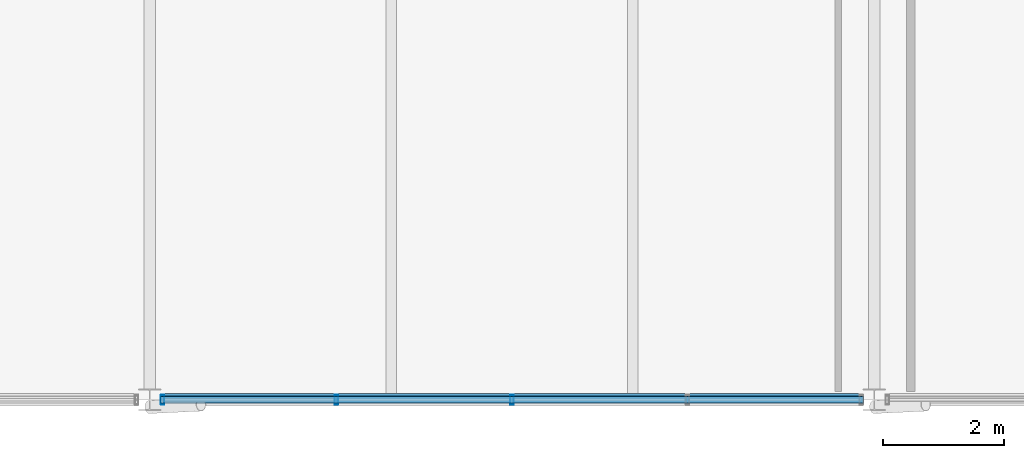
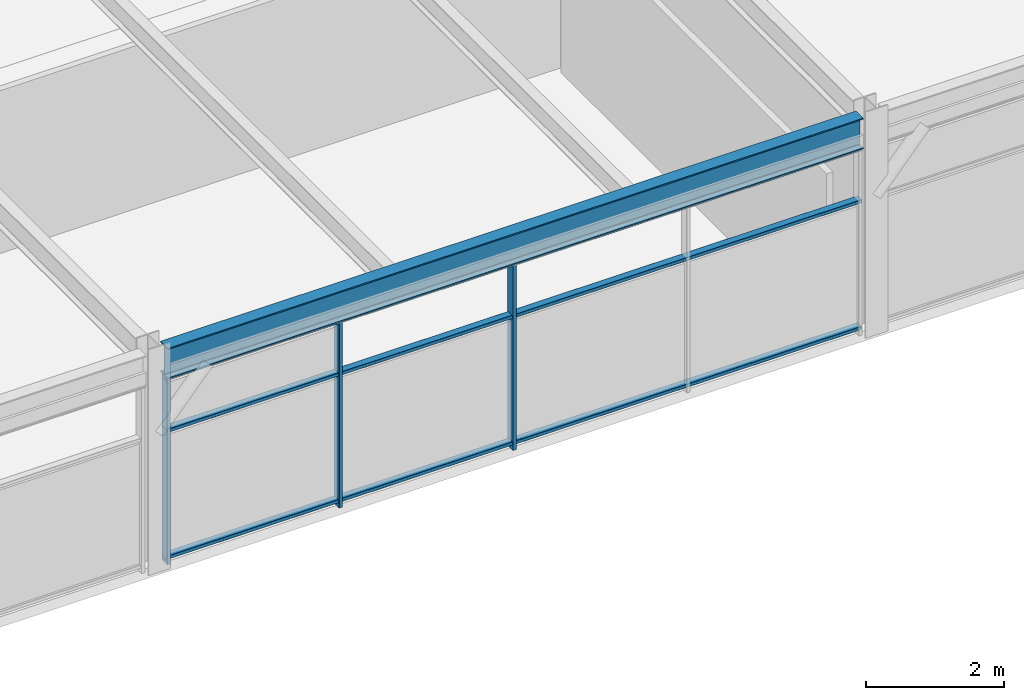
# One storey, part 16 of 40: 6 members, 1 beam, 1 element without a shape of its own.
"""IFC4 building model written with IfcOpenShell, lengths in metres."""

from ifc_helpers import new_model, si_unit, direction, frame, origin, origin_2d, place, context, subcontext, project, spatial, hollow_rectangle, i_section, extrude, material, material_profile, profile_set, type_object, element, aggregate, save


model = new_model("IFC4")

# Units and contexts
model_context = context("Model", 3, precision=1e-05, world=origin(), true_north=direction((0.0, 1.0)))
body_context = subcontext(model_context, "Body", "Model", "MODEL_VIEW")
ifc_project = project(units=[si_unit("LENGTHUNIT", "METRE"), si_unit("AREAUNIT", "SQUARE_METRE"), si_unit("VOLUMEUNIT", "CUBIC_METRE"), si_unit("PLANEANGLEUNIT", "RADIAN"), si_unit("MASSUNIT", "GRAM", prefix="KILO")], contexts=[model_context])

# Site, building, storey
site_placement = place(None, origin())
site = spatial("IfcSite", under=ifc_project, at=site_placement, CompositionType="ELEMENT")
building_placement = place(site_placement, origin())
building = spatial("IfcBuilding", under=site, at=building_placement, Name="Girod Span Mobility Hub", CompositionType="ELEMENT")
storey_placement = place(building_placement, frame((0.0, 0.0, 57.60009765625)))
storey = spatial("IfcBuildingStorey", under=building, at=storey_placement, Name="L14", CompositionType="ELEMENT", Elevation=57.60009765625)

# Beam
ifc_material_1 = material(Name="Steel A992 Grade 50", Category="steel")
ifc_material_profile_1 = material_profile(ifc_material_1, i_section(OverallWidth=0.2119140625, OverallDepth=0.5439453125, WebThickness=0.01318359375, FlangeThickness=0.021240234375, FilletRadius=0.014892578125, at=origin_2d()), Name="W21X83")
ifc_profile_set_1 = profile_set([ifc_material_profile_1], Name="Steel A992 Grade 50")
beam_type = type_object("IfcBeamType", Name="BM-STL-W21X83", PredefinedType="SPANDREL", material=ifc_profile_set_1)
beam_placement = place(storey_placement, frame((84.181396484375, 45.0, 3.577880859375), z_axis=(1.0, 0.0, 0.0), x_axis=(0.0, 1.0, 0.0)))
element("IfcBeam", 1, at=beam_placement, inside=storey, type_object=beam_type, Name="Girder 8-9/D L14", PredefinedType="SPANDREL", context=body_context, shape_type="SweptSolid", body=[
    extrude(i_section(OverallWidth=0.2119140625, OverallDepth=0.5439453125, WebThickness=0.01318359375, FlangeThickness=0.021240234375, FilletRadius=0.014892578125, at=origin_2d()), origin(), (0.0, 0.0, 1.0), 11.63720703125),
])

# Curtain wall, members
ifc_material_2 = material(Name="Thermally Broken Anodised Aluminium", Category="aluminium")
curtain_wall_type = type_object("IfcCurtainWallType", Name="CW-1164X331", PredefinedType="USERDEFINED", material=ifc_material_2)
curtain_wall_placement = place(storey_placement, origin())
curtain_wall = element("IfcCurtainWall", 2, at=curtain_wall_placement, inside=storey, type_object=curtain_wall_type, Name="Unitised Curtain Wall CW-L14-S08 L14", ObjectType="UNITISED CURTAIN WALL", PredefinedType="USERDEFINED")
ifc_material_3 = material(Name="Thermally Broken Anodised Aluminium", Category="aluminium")
ifc_material_profile_2 = material_profile(ifc_material_3, hollow_rectangle(XDim=0.159912109375, YDim=0.06005859375, WallThickness=0.00341796875, InnerFilletRadius=0.00341796875, OuterFilletRadius=0.007080078125, at=origin_2d()), Name="CW-ML-60X160")
ifc_profile_set_2 = profile_set([ifc_material_profile_2], Name="Thermally Broken Anodised Aluminium")
member_type_1 = type_object("IfcMemberType", Name="CWM-ML-3", PredefinedType="MULLION", material=ifc_profile_set_2)
member_1_placement = place(storey_placement, frame((84.214599609375, 45.0, 0.0), z_axis=(0.0, 0.0, 1.0), x_axis=(0.0, 1.0, 0.0)))
member_1 = element("IfcMember", 3, at=member_1_placement, type_object=member_type_1, Name="Curtain Wall Mullion CW-L14-S08-M0", PredefinedType="MULLION", context=body_context, shape_type="SweptSolid", body=[
    extrude(hollow_rectangle(XDim=0.159912109375, YDim=0.06005859375, WallThickness=0.00341796875, InnerFilletRadius=0.00341796875, OuterFilletRadius=0.007080078125, at=origin_2d()), origin(), (0.0, 0.0, 1.0), 3.305908203125),
])
member_2_placement = place(storey_placement, frame((87.09130859375, 45.0, 0.0), z_axis=(0.0, 0.0, 1.0), x_axis=(0.0, 1.0, 0.0)))
member_2 = element("IfcMember", 4, at=member_2_placement, type_object=member_type_1, Name="Curtain Wall Mullion CW-L14-S08-M1", PredefinedType="MULLION", context=body_context, shape_type="SweptSolid", body=[
    extrude(hollow_rectangle(XDim=0.159912109375, YDim=0.06005859375, WallThickness=0.00341796875, InnerFilletRadius=0.00341796875, OuterFilletRadius=0.007080078125, at=origin_2d()), origin(), (0.0, 0.0, 1.0), 3.305908203125),
])
member_3_placement = place(storey_placement, frame((90.0, 45.0, 0.0), z_axis=(0.0, 0.0, 1.0), x_axis=(0.0, 1.0, 0.0)))
member_3 = element("IfcMember", 5, at=member_3_placement, type_object=member_type_1, Name="Curtain Wall Mullion CW-L14-S08-M2", PredefinedType="MULLION", context=body_context, shape_type="SweptSolid", body=[
    extrude(hollow_rectangle(XDim=0.159912109375, YDim=0.06005859375, WallThickness=0.00341796875, InnerFilletRadius=0.00341796875, OuterFilletRadius=0.007080078125, at=origin_2d()), origin(), (0.0, 0.0, 1.0), 3.305908203125),
])
ifc_material_4 = material(Name="Thermally Broken Anodised Aluminium", Category="aluminium")
ifc_material_profile_3 = material_profile(ifc_material_4, hollow_rectangle(XDim=0.1201171875, YDim=0.06005859375, WallThickness=0.00341796875, InnerFilletRadius=0.00341796875, OuterFilletRadius=0.007080078125, at=origin_2d()), Name="CW-TR-60X120")
ifc_profile_set_3 = profile_set([ifc_material_profile_3], Name="Thermally Broken Anodised Aluminium")
member_type_2 = type_object("IfcMemberType", Name="CWM-TR-3", PredefinedType="USERDEFINED", material=ifc_profile_set_3)
member_4_placement = place(storey_placement, frame((84.1826171875, 45.0, 0.10986328125), z_axis=(1.0, 0.0, 0.0), x_axis=(0.0, 1.0, 0.0)))
member_4 = element("IfcMember", 6, at=member_4_placement, type_object=member_type_2, Name="Curtain Wall Transom CW-L14-S08-T1", ObjectType="TRANSOM", PredefinedType="USERDEFINED", context=body_context, shape_type="SweptSolid", body=[
    extrude(hollow_rectangle(XDim=0.1201171875, YDim=0.06005859375, WallThickness=0.00341796875, InnerFilletRadius=0.00341796875, OuterFilletRadius=0.007080078125, at=origin_2d()), origin(), (0.0, 0.0, 1.0), 11.634765625),
])
member_5_placement = place(storey_placement, frame((84.1826171875, 45.0, 2.35009765625), z_axis=(1.0, 0.0, 0.0), x_axis=(0.0, 1.0, 0.0)))
member_5 = element("IfcMember", 7, at=member_5_placement, type_object=member_type_2, Name="Curtain Wall Transom CW-L14-S08-T2", ObjectType="TRANSOM", PredefinedType="USERDEFINED", context=body_context, shape_type="SweptSolid", body=[
    extrude(hollow_rectangle(XDim=0.1201171875, YDim=0.06005859375, WallThickness=0.00341796875, InnerFilletRadius=0.00341796875, OuterFilletRadius=0.007080078125, at=origin_2d()), origin(), (0.0, 0.0, 1.0), 11.634765625),
])
member_6_placement = place(storey_placement, frame((84.1826171875, 45.0, 3.27587890625), z_axis=(1.0, 0.0, 0.0), x_axis=(0.0, 1.0, 0.0)))
member_6 = element("IfcMember", 8, at=member_6_placement, type_object=member_type_2, Name="Curtain Wall Transom CW-L14-S08-T3", ObjectType="TRANSOM", PredefinedType="USERDEFINED", context=body_context, shape_type="SweptSolid", body=[
    extrude(hollow_rectangle(XDim=0.1201171875, YDim=0.06005859375, WallThickness=0.00341796875, InnerFilletRadius=0.00341796875, OuterFilletRadius=0.007080078125, at=origin_2d()), origin(), (0.0, 0.0, 1.0), 11.634765625),
])
aggregate(curtain_wall, [member_1, member_2, member_3, member_4, member_5, member_6])

save(model, "model.ifc")
